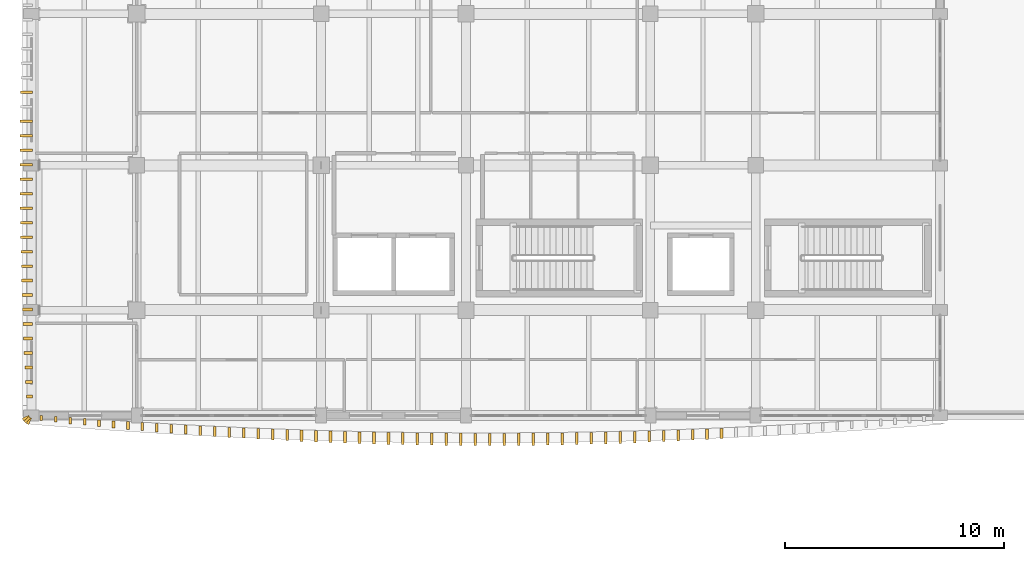
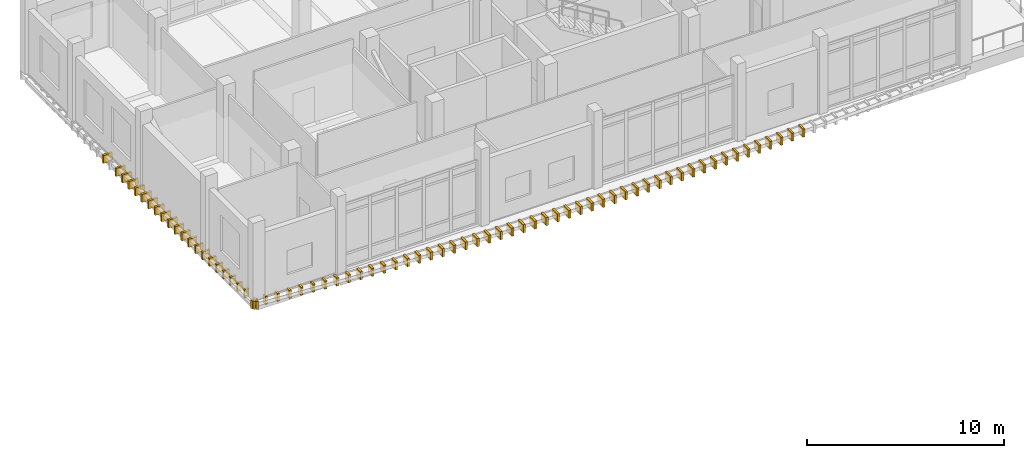
# One storey, part 43 of 50: 72 coverings.
"""IFC4 building model written with IfcOpenShell, lengths in metres."""

from ifc_helpers import new_model, si_unit, direction, frame, origin, origin_2d, place, context, subcontext, project, spatial, rectangle, extrude, material, layer, layer_set, type_object, element, save


model = new_model("IFC4")

# Units and contexts
model_context = context("Model", 3, precision=1e-05, world=origin(), true_north=direction((0.0, 1.0)))
body_context = subcontext(model_context, "Body", "Model", "MODEL_VIEW")
ifc_project = project(units=[si_unit("LENGTHUNIT", "METRE"), si_unit("AREAUNIT", "SQUARE_METRE"), si_unit("VOLUMEUNIT", "CUBIC_METRE"), si_unit("PLANEANGLEUNIT", "RADIAN"), si_unit("MASSUNIT", "GRAM", prefix="KILO")], contexts=[model_context])

# Site, building, storey
site_placement = place(None, origin())
site = spatial("IfcSite", under=ifc_project, at=site_placement, CompositionType="ELEMENT")
building_placement = place(site_placement, origin())
building = spatial("IfcBuilding", under=site, at=building_placement, Name="Dornvale Research Institute", CompositionType="ELEMENT")
storey_placement = place(building_placement, frame((0.0, 0.0, 19.800048828125)))
storey = spatial("IfcBuildingStorey", under=building, at=storey_placement, Name="L04", CompositionType="ELEMENT", Elevation=19.800048828125)

# Coverings
ifc_material = material(Name="Polychrome Glazed Terracotta Visor Rib Ceramic", Category="masonry")
ifc_layer = layer(ifc_material, 0.1201171875)
ifc_layer_set = layer_set([ifc_layer], Name="Polychrome Glazed Terracotta Visor Rib Ceramic")
covering_type = type_object("IfcCoveringType", Name="Covering_VisorBlade_Main", PredefinedType="CLADDING", material=ifc_layer_set)
covering_1_placement = place(storey_placement, frame((0.448486328125, 98.88720703125, -0.489990234375), z_axis=(0.0, 0.0, 1.0), x_axis=(0.0, 1.0, 0.0)))
element("IfcCovering", 1, at=covering_1_placement, inside=storey, type_object=covering_type, Name="L04 V5 canted glazed terracotta visor blade #623", PredefinedType="CLADDING", context=body_context, shape_type="SweptSolid", body=[
    extrude(rectangle(XDim=0.235107421875, YDim=0.1201171875, at=origin_2d()), origin(), (0.0, 0.0, 1.0), 0.5),
])
covering_2_placement = place(storey_placement, frame((1.106689453125, 98.8251953125, -0.489990234375), z_axis=(0.0, 0.0, 1.0), x_axis=(0.0, 1.0, 0.0)))
element("IfcCovering", 2, at=covering_2_placement, inside=storey, type_object=covering_type, Name="L04 V5 canted glazed terracotta visor blade #624", PredefinedType="CLADDING", context=body_context, shape_type="SweptSolid", body=[
    extrude(rectangle(XDim=0.2548828125, YDim=0.1201171875, at=origin_2d()), origin(), (0.0, 0.0, 1.0), 0.5),
])
covering_3_placement = place(storey_placement, frame((1.7646484375, 98.763671875, -0.489990234375), z_axis=(0.0, 0.0, 1.0), x_axis=(0.0, 1.0, 0.0)))
element("IfcCovering", 3, at=covering_3_placement, inside=storey, type_object=covering_type, Name="L04 V5 canted glazed terracotta visor blade #625", PredefinedType="CLADDING", context=body_context, shape_type="SweptSolid", body=[
    extrude(rectangle(XDim=0.27587890625, YDim=0.1201171875, at=origin_2d()), origin(), (0.0, 0.0, 1.0), 0.5),
])
covering_4_placement = place(storey_placement, frame((2.4228515625, 98.70654296875, -0.489990234375), z_axis=(0.0, 0.0, 1.0), x_axis=(0.0, 1.0, 0.0)))
element("IfcCovering", 4, at=covering_4_placement, inside=storey, type_object=covering_type, Name="L04 V5 canted glazed terracotta visor blade #626", PredefinedType="CLADDING", context=body_context, shape_type="SweptSolid", body=[
    extrude(rectangle(XDim=0.294921875, YDim=0.1201171875, at=origin_2d()), origin(), (0.0, 0.0, 1.0), 0.5),
])
covering_5_placement = place(storey_placement, frame((3.0810546875, 98.6494140625, -0.489990234375), z_axis=(0.0, 0.0, 1.0), x_axis=(0.0, 1.0, 0.0)))
element("IfcCovering", 5, at=covering_5_placement, inside=storey, type_object=covering_type, Name="L04 V5 canted glazed terracotta visor blade #627", PredefinedType="CLADDING", context=body_context, shape_type="SweptSolid", body=[
    extrude(rectangle(XDim=0.31396484375, YDim=0.1201171875, at=origin_2d()), origin(), (0.0, 0.0, 1.0), 0.5),
])
covering_6_placement = place(storey_placement, frame((3.739501953125, 98.595703125, -0.489990234375), z_axis=(0.0, 0.0, 1.0), x_axis=(0.0, 1.0, 0.0)))
element("IfcCovering", 6, at=covering_6_placement, inside=storey, type_object=covering_type, Name="L04 V5 canted glazed terracotta visor blade #628", PredefinedType="CLADDING", context=body_context, shape_type="SweptSolid", body=[
    extrude(rectangle(XDim=0.33203125, YDim=0.1201171875, at=origin_2d()), origin(), (0.0, 0.0, 1.0), 0.5),
])
covering_7_placement = place(storey_placement, frame((4.398193359375, 98.5439453125, -0.489990234375), z_axis=(0.0, 0.0, 1.0), x_axis=(0.0, 1.0, 0.0)))
element("IfcCovering", 7, at=covering_7_placement, inside=storey, type_object=covering_type, Name="L04 V5 canted glazed terracotta visor blade #629", PredefinedType="CLADDING", context=body_context, shape_type="SweptSolid", body=[
    extrude(rectangle(XDim=0.34912109375, YDim=0.1201171875, at=origin_2d()), origin(), (0.0, 0.0, 1.0), 0.5),
])
covering_8_placement = place(storey_placement, frame((5.056884765625, 98.49267578125, -0.489990234375), z_axis=(0.0, 0.0, 1.0), x_axis=(0.0, 1.0, 0.0)))
element("IfcCovering", 8, at=covering_8_placement, inside=storey, type_object=covering_type, Name="L04 V5 canted glazed terracotta visor blade #630", PredefinedType="CLADDING", context=body_context, shape_type="SweptSolid", body=[
    extrude(rectangle(XDim=0.365966796875, YDim=0.1201171875, at=origin_2d()), origin(), (0.0, 0.0, 1.0), 0.5),
])
covering_9_placement = place(storey_placement, frame((5.7158203125, 98.44580078125, -0.489990234375), z_axis=(0.0, 0.0, 1.0), x_axis=(0.0, 1.0, 0.0)))
element("IfcCovering", 9, at=covering_9_placement, inside=storey, type_object=covering_type, Name="L04 V5 canted glazed terracotta visor blade #631", PredefinedType="CLADDING", context=body_context, shape_type="SweptSolid", body=[
    extrude(rectangle(XDim=0.382080078125, YDim=0.1201171875, at=origin_2d()), origin(), (0.0, 0.0, 1.0), 0.5),
])
covering_10_placement = place(storey_placement, frame((6.37451171875, 98.3994140625, -0.489990234375), z_axis=(0.0, 0.0, 1.0), x_axis=(0.0, 1.0, 0.0)))
element("IfcCovering", 10, at=covering_10_placement, inside=storey, type_object=covering_type, Name="L04 V5 canted glazed terracotta visor blade #632", PredefinedType="CLADDING", context=body_context, shape_type="SweptSolid", body=[
    extrude(rectangle(XDim=0.39697265625, YDim=0.1201171875, at=origin_2d()), origin(), (0.0, 0.0, 1.0), 0.5),
])
covering_11_placement = place(storey_placement, frame((7.033447265625, 98.35546875, -0.489990234375), z_axis=(0.0, 0.0, 1.0), x_axis=(0.0, 1.0, 0.0)))
element("IfcCovering", 11, at=covering_11_placement, inside=storey, type_object=covering_type, Name="L04 V5 canted glazed terracotta visor blade #633", PredefinedType="CLADDING", context=body_context, shape_type="SweptSolid", body=[
    extrude(rectangle(XDim=0.412109375, YDim=0.1201171875, at=origin_2d()), origin(), (0.0, 0.0, 1.0), 0.5),
])
covering_12_placement = place(storey_placement, frame((7.692626953125, 98.31396484375, -0.489990234375), z_axis=(0.0, 0.0, 1.0), x_axis=(0.0, 1.0, 0.0)))
element("IfcCovering", 12, at=covering_12_placement, inside=storey, type_object=covering_type, Name="L04 V5 canted glazed terracotta visor blade #634", PredefinedType="CLADDING", context=body_context, shape_type="SweptSolid", body=[
    extrude(rectangle(XDim=0.426025390625, YDim=0.1201171875, at=origin_2d()), origin(), (0.0, 0.0, 1.0), 0.5),
])
covering_13_placement = place(storey_placement, frame((8.351806640625, 98.273193359375, -0.489990234375), z_axis=(0.0, 0.0, 1.0), x_axis=(0.0, 1.0, 0.0)))
element("IfcCovering", 13, at=covering_13_placement, inside=storey, type_object=covering_type, Name="L04 V5 canted glazed terracotta visor blade #635", PredefinedType="CLADDING", context=body_context, shape_type="SweptSolid", body=[
    extrude(rectangle(XDim=0.43896484375, YDim=0.1201171875, at=origin_2d()), origin(), (0.0, 0.0, 1.0), 0.5),
])
covering_14_placement = place(storey_placement, frame((9.010986328125, 98.236328125, -0.489990234375), z_axis=(0.0, 0.0, 1.0), x_axis=(0.0, 1.0, 0.0)))
element("IfcCovering", 14, at=covering_14_placement, inside=storey, type_object=covering_type, Name="L04 V5 canted glazed terracotta visor blade #636", PredefinedType="CLADDING", context=body_context, shape_type="SweptSolid", body=[
    extrude(rectangle(XDim=0.451904296875, YDim=0.1201171875, at=origin_2d()), origin(), (0.0, 0.0, 1.0), 0.5),
])
covering_15_placement = place(storey_placement, frame((9.67041015625, 98.199951171875, -0.489990234375), z_axis=(0.0, 0.0, 1.0), x_axis=(0.0, 1.0, 0.0)))
element("IfcCovering", 15, at=covering_15_placement, inside=storey, type_object=covering_type, Name="L04 V5 canted glazed terracotta visor blade #637", PredefinedType="CLADDING", context=body_context, shape_type="SweptSolid", body=[
    extrude(rectangle(XDim=0.464111328125, YDim=0.1201171875, at=origin_2d()), origin(), (0.0, 0.0, 1.0), 0.5),
])
covering_16_placement = place(storey_placement, frame((10.32958984375, 98.166748046875, -0.489990234375), z_axis=(0.0, 0.0, 1.0), x_axis=(0.0, 1.0, 0.0)))
element("IfcCovering", 16, at=covering_16_placement, inside=storey, type_object=covering_type, Name="L04 V5 canted glazed terracotta visor blade #638", PredefinedType="CLADDING", context=body_context, shape_type="SweptSolid", body=[
    extrude(rectangle(XDim=0.47509765625, YDim=0.1201171875, at=origin_2d()), origin(), (0.0, 0.0, 1.0), 0.5),
])
covering_17_placement = place(storey_placement, frame((10.9892578125, 98.1357421875, -0.489990234375), z_axis=(0.0, 0.0, 1.0), x_axis=(0.0, 1.0, 0.0)))
element("IfcCovering", 17, at=covering_17_placement, inside=storey, type_object=covering_type, Name="L04 V5 canted glazed terracotta visor blade #639", PredefinedType="CLADDING", context=body_context, shape_type="SweptSolid", body=[
    extrude(rectangle(XDim=0.485107421875, YDim=0.1201171875, at=origin_2d()), origin(), (0.0, 0.0, 1.0), 0.5),
])
covering_18_placement = place(storey_placement, frame((11.648681640625, 98.105224609375, -0.489990234375), z_axis=(0.0, 0.0, 1.0), x_axis=(0.0, 1.0, 0.0)))
element("IfcCovering", 18, at=covering_18_placement, inside=storey, type_object=covering_type, Name="L04 V5 canted glazed terracotta visor blade #640", PredefinedType="CLADDING", context=body_context, shape_type="SweptSolid", body=[
    extrude(rectangle(XDim=0.4951171875, YDim=0.1201171875, at=origin_2d()), origin(), (0.0, 0.0, 1.0), 0.5),
])
covering_19_placement = place(storey_placement, frame((12.308349609375, 98.0791015625, -0.489990234375), z_axis=(0.0, 0.0, 1.0), x_axis=(0.0, 1.0, 0.0)))
element("IfcCovering", 19, at=covering_19_placement, inside=storey, type_object=covering_type, Name="L04 V5 canted glazed terracotta visor blade #641", PredefinedType="CLADDING", context=body_context, shape_type="SweptSolid", body=[
    extrude(rectangle(XDim=0.50390625, YDim=0.1201171875, at=origin_2d()), origin(), (0.0, 0.0, 1.0), 0.5),
])
covering_20_placement = place(storey_placement, frame((12.968017578125, 98.052978515625, -0.489990234375), z_axis=(0.0, 0.0, 1.0), x_axis=(0.0, 1.0, 0.0)))
element("IfcCovering", 20, at=covering_20_placement, inside=storey, type_object=covering_type, Name="L04 V5 canted glazed terracotta visor blade #642", PredefinedType="CLADDING", context=body_context, shape_type="SweptSolid", body=[
    extrude(rectangle(XDim=0.512939453125, YDim=0.1201171875, at=origin_2d()), origin(), (0.0, 0.0, 1.0), 0.5),
])
covering_21_placement = place(storey_placement, frame((13.627685546875, 98.0302734375, -0.489990234375), z_axis=(0.0, 0.0, 1.0), x_axis=(0.0, 1.0, 0.0)))
element("IfcCovering", 21, at=covering_21_placement, inside=storey, type_object=covering_type, Name="L04 V5 canted glazed terracotta visor blade #643", PredefinedType="CLADDING", context=body_context, shape_type="SweptSolid", body=[
    extrude(rectangle(XDim=0.52001953125, YDim=0.1201171875, at=origin_2d()), origin(), (0.0, 0.0, 1.0), 0.5),
])
covering_22_placement = place(storey_placement, frame((14.28759765625, 98.00927734375, -0.489990234375), z_axis=(0.0, 0.0, 1.0), x_axis=(0.0, 1.0, 0.0)))
element("IfcCovering", 22, at=covering_22_placement, inside=storey, type_object=covering_type, Name="L04 V5 canted glazed terracotta visor blade #644", PredefinedType="CLADDING", context=body_context, shape_type="SweptSolid", body=[
    extrude(rectangle(XDim=0.527099609375, YDim=0.1201171875, at=origin_2d()), origin(), (0.0, 0.0, 1.0), 0.5),
])
covering_23_placement = place(storey_placement, frame((14.947265625, 97.98876953125, -0.489990234375), z_axis=(0.0, 0.0, 1.0), x_axis=(0.0, 1.0, 0.0)))
element("IfcCovering", 23, at=covering_23_placement, inside=storey, type_object=covering_type, Name="L04 V5 canted glazed terracotta visor blade #645", PredefinedType="CLADDING", context=body_context, shape_type="SweptSolid", body=[
    extrude(rectangle(XDim=0.533935546875, YDim=0.1201171875, at=origin_2d()), origin(), (0.0, 0.0, 1.0), 0.5),
])
covering_24_placement = place(storey_placement, frame((15.607177734375, 97.973388671875, -0.489990234375), z_axis=(0.0, 0.0, 1.0), x_axis=(0.0, 1.0, 0.0)))
element("IfcCovering", 24, at=covering_24_placement, inside=storey, type_object=covering_type, Name="L04 V5 canted glazed terracotta visor blade #646", PredefinedType="CLADDING", context=body_context, shape_type="SweptSolid", body=[
    extrude(rectangle(XDim=0.5390625, YDim=0.1201171875, at=origin_2d()), origin(), (0.0, 0.0, 1.0), 0.5),
])
covering_25_placement = place(storey_placement, frame((16.26708984375, 97.957763671875, -0.489990234375), z_axis=(0.0, 0.0, 1.0), x_axis=(0.0, 1.0, 0.0)))
element("IfcCovering", 25, at=covering_25_placement, inside=storey, type_object=covering_type, Name="L04 V5 canted glazed terracotta visor blade #647", PredefinedType="CLADDING", context=body_context, shape_type="SweptSolid", body=[
    extrude(rectangle(XDim=0.5439453125, YDim=0.1201171875, at=origin_2d()), origin(), (0.0, 0.0, 1.0), 0.5),
])
covering_26_placement = place(storey_placement, frame((16.927001953125, 97.944580078125, -0.489990234375), z_axis=(0.0, 0.0, 1.0), x_axis=(0.0, 1.0, 0.0)))
element("IfcCovering", 26, at=covering_26_placement, inside=storey, type_object=covering_type, Name="L04 V5 canted glazed terracotta visor blade #648", PredefinedType="CLADDING", context=body_context, shape_type="SweptSolid", body=[
    extrude(rectangle(XDim=0.549072265625, YDim=0.1201171875, at=origin_2d()), origin(), (0.0, 0.0, 1.0), 0.5),
])
covering_27_placement = place(storey_placement, frame((17.5869140625, 97.9345703125, -0.489990234375), z_axis=(0.0, 0.0, 1.0), x_axis=(0.0, 1.0, 0.0)))
element("IfcCovering", 27, at=covering_27_placement, inside=storey, type_object=covering_type, Name="L04 V5 canted glazed terracotta visor blade #649", PredefinedType="CLADDING", context=body_context, shape_type="SweptSolid", body=[
    extrude(rectangle(XDim=0.552001953125, YDim=0.1201171875, at=origin_2d()), origin(), (0.0, 0.0, 1.0), 0.5),
])
covering_28_placement = place(storey_placement, frame((18.246826171875, 97.924560546875, -0.489990234375), z_axis=(0.0, 0.0, 1.0), x_axis=(0.0, 1.0, 0.0)))
element("IfcCovering", 28, at=covering_28_placement, inside=storey, type_object=covering_type, Name="L04 V5 canted glazed terracotta visor blade #650", PredefinedType="CLADDING", context=body_context, shape_type="SweptSolid", body=[
    extrude(rectangle(XDim=0.554931640625, YDim=0.1201171875, at=origin_2d()), origin(), (0.0, 0.0, 1.0), 0.5),
])
covering_29_placement = place(storey_placement, frame((18.90673828125, 97.919189453125, -0.489990234375), z_axis=(0.0, 0.0, 1.0), x_axis=(0.0, 1.0, 0.0)))
element("IfcCovering", 29, at=covering_29_placement, inside=storey, type_object=covering_type, Name="L04 V5 canted glazed terracotta visor blade #651", PredefinedType="CLADDING", context=body_context, shape_type="SweptSolid", body=[
    extrude(rectangle(XDim=0.556884765625, YDim=0.1201171875, at=origin_2d()), origin(), (0.0, 0.0, 1.0), 0.5),
])
covering_30_placement = place(storey_placement, frame((19.56689453125, 97.913818359375, -0.489990234375), z_axis=(0.0, 0.0, 1.0), x_axis=(0.0, 1.0, 0.0)))
element("IfcCovering", 30, at=covering_30_placement, inside=storey, type_object=covering_type, Name="L04 V5 canted glazed terracotta visor blade #652", PredefinedType="CLADDING", context=body_context, shape_type="SweptSolid", body=[
    extrude(rectangle(XDim=0.55908203125, YDim=0.1201171875, at=origin_2d()), origin(), (0.0, 0.0, 1.0), 0.5),
])
for number, where, z_axis, x_axis, name in (
    (31, (20.226806640625, 97.911376953125, -0.489990234375), (0.0, 0.0, 1.0), (0.0, 1.0, 0.0), "L04 V5 canted glazed terracotta visor blade #653"),
    (32, (20.88671875, 97.911376953125, -0.489990234375), (0.0, 0.0, 1.0), (0.0, 1.0, 0.0), "L04 V5 canted glazed terracotta visor blade #654"),
):
    element("IfcCovering", number, at=place(storey_placement, frame(where, z_axis=z_axis, x_axis=x_axis)), inside=storey, type_object=covering_type, Name=name, PredefinedType="CLADDING", context=body_context, shape_type="SweptSolid", body=[
        extrude(rectangle(XDim=0.56005859375, YDim=0.1201171875, at=origin_2d()), origin(), (0.0, 0.0, 1.0), 0.5),
    ])
covering_31_placement = place(storey_placement, frame((21.546875, 97.912109375, -0.489990234375), z_axis=(0.0, 0.0, 1.0), x_axis=(0.0, 1.0, 0.0)))
element("IfcCovering", 33, at=covering_31_placement, inside=storey, type_object=covering_type, Name="L04 V5 canted glazed terracotta visor blade #655", PredefinedType="CLADDING", context=body_context, shape_type="SweptSolid", body=[
    extrude(rectangle(XDim=0.55908203125, YDim=0.1201171875, at=origin_2d()), origin(), (0.0, 0.0, 1.0), 0.5),
])
covering_32_placement = place(storey_placement, frame((22.206787109375, 97.916748046875, -0.489990234375), z_axis=(0.0, 0.0, 1.0), x_axis=(0.0, 1.0, 0.0)))
element("IfcCovering", 34, at=covering_32_placement, inside=storey, type_object=covering_type, Name="L04 V5 canted glazed terracotta visor blade #656", PredefinedType="CLADDING", context=body_context, shape_type="SweptSolid", body=[
    extrude(rectangle(XDim=0.55810546875, YDim=0.1201171875, at=origin_2d()), origin(), (0.0, 0.0, 1.0), 0.5),
])
covering_33_placement = place(storey_placement, frame((22.86669921875, 97.922119140625, -0.489990234375), z_axis=(0.0, 0.0, 1.0), x_axis=(0.0, 1.0, 0.0)))
element("IfcCovering", 35, at=covering_33_placement, inside=storey, type_object=covering_type, Name="L04 V5 canted glazed terracotta visor blade #657", PredefinedType="CLADDING", context=body_context, shape_type="SweptSolid", body=[
    extrude(rectangle(XDim=0.555908203125, YDim=0.1201171875, at=origin_2d()), origin(), (0.0, 0.0, 1.0), 0.5),
])
covering_34_placement = place(storey_placement, frame((23.526611328125, 97.9296875, -0.489990234375), z_axis=(0.0, 0.0, 1.0), x_axis=(0.0, 1.0, 0.0)))
element("IfcCovering", 36, at=covering_34_placement, inside=storey, type_object=covering_type, Name="L04 V5 canted glazed terracotta visor blade #658", PredefinedType="CLADDING", context=body_context, shape_type="SweptSolid", body=[
    extrude(rectangle(XDim=0.553955078125, YDim=0.1201171875, at=origin_2d()), origin(), (0.0, 0.0, 1.0), 0.5),
])
covering_35_placement = place(storey_placement, frame((24.186767578125, 97.9404296875, -0.489990234375), z_axis=(0.0, 0.0, 1.0), x_axis=(0.0, 1.0, 0.0)))
element("IfcCovering", 37, at=covering_35_placement, inside=storey, type_object=covering_type, Name="L04 V5 canted glazed terracotta visor blade #659", PredefinedType="CLADDING", context=body_context, shape_type="SweptSolid", body=[
    extrude(rectangle(XDim=0.550048828125, YDim=0.1201171875, at=origin_2d()), origin(), (0.0, 0.0, 1.0), 0.5),
])
covering_36_placement = place(storey_placement, frame((24.8466796875, 97.951171875, -0.489990234375), z_axis=(0.0, 0.0, 1.0), x_axis=(0.0, 1.0, 0.0)))
element("IfcCovering", 38, at=covering_36_placement, inside=storey, type_object=covering_type, Name="L04 V5 canted glazed terracotta visor blade #660", PredefinedType="CLADDING", context=body_context, shape_type="SweptSolid", body=[
    extrude(rectangle(XDim=0.5458984375, YDim=0.1201171875, at=origin_2d()), origin(), (0.0, 0.0, 1.0), 0.5),
])
covering_37_placement = place(storey_placement, frame((25.506591796875, 97.966064453125, -0.489990234375), z_axis=(0.0, 0.0, 1.0), x_axis=(0.0, 1.0, 0.0)))
element("IfcCovering", 39, at=covering_37_placement, inside=storey, type_object=covering_type, Name="L04 V5 canted glazed terracotta visor blade #661", PredefinedType="CLADDING", context=body_context, shape_type="SweptSolid", body=[
    extrude(rectangle(XDim=0.5419921875, YDim=0.1201171875, at=origin_2d()), origin(), (0.0, 0.0, 1.0), 0.5),
])
covering_38_placement = place(storey_placement, frame((26.16650390625, 97.982177734375, -0.489990234375), z_axis=(0.0, 0.0, 1.0), x_axis=(0.0, 1.0, 0.0)))
element("IfcCovering", 40, at=covering_38_placement, inside=storey, type_object=covering_type, Name="L04 V5 canted glazed terracotta visor blade #662", PredefinedType="CLADDING", context=body_context, shape_type="SweptSolid", body=[
    extrude(rectangle(XDim=0.535888671875, YDim=0.1201171875, at=origin_2d()), origin(), (0.0, 0.0, 1.0), 0.5),
])
covering_39_placement = place(storey_placement, frame((26.826171875, 98.000244140625, -0.489990234375), z_axis=(0.0, 0.0, 1.0), x_axis=(0.0, 1.0, 0.0)))
element("IfcCovering", 41, at=covering_39_placement, inside=storey, type_object=covering_type, Name="L04 V5 canted glazed terracotta visor blade #663", PredefinedType="CLADDING", context=body_context, shape_type="SweptSolid", body=[
    extrude(rectangle(XDim=0.530029296875, YDim=0.1201171875, at=origin_2d()), origin(), (0.0, 0.0, 1.0), 0.5),
])
covering_40_placement = place(storey_placement, frame((27.48583984375, 98.020751953125, -0.489990234375), z_axis=(0.0, 0.0, 1.0), x_axis=(0.0, 1.0, 0.0)))
element("IfcCovering", 42, at=covering_40_placement, inside=storey, type_object=covering_type, Name="L04 V5 canted glazed terracotta visor blade #664", PredefinedType="CLADDING", context=body_context, shape_type="SweptSolid", body=[
    extrude(rectangle(XDim=0.52392578125, YDim=0.1201171875, at=origin_2d()), origin(), (0.0, 0.0, 1.0), 0.5),
])
covering_41_placement = place(storey_placement, frame((28.145751953125, 98.0419921875, -0.489990234375), z_axis=(0.0, 0.0, 1.0), x_axis=(0.0, 1.0, 0.0)))
element("IfcCovering", 43, at=covering_41_placement, inside=storey, type_object=covering_type, Name="L04 V5 canted glazed terracotta visor blade #665", PredefinedType="CLADDING", context=body_context, shape_type="SweptSolid", body=[
    extrude(rectangle(XDim=0.51611328125, YDim=0.1201171875, at=origin_2d()), origin(), (0.0, 0.0, 1.0), 0.5),
])
covering_42_placement = place(storey_placement, frame((28.805419921875, 98.067626953125, -0.489990234375), z_axis=(0.0, 0.0, 1.0), x_axis=(0.0, 1.0, 0.0)))
element("IfcCovering", 44, at=covering_42_placement, inside=storey, type_object=covering_type, Name="L04 V5 canted glazed terracotta visor blade #666", PredefinedType="CLADDING", context=body_context, shape_type="SweptSolid", body=[
    extrude(rectangle(XDim=0.508056640625, YDim=0.1201171875, at=origin_2d()), origin(), (0.0, 0.0, 1.0), 0.5),
])
covering_43_placement = place(storey_placement, frame((29.465087890625, 98.09375, -0.489990234375), z_axis=(0.0, 0.0, 1.0), x_axis=(0.0, 1.0, 0.0)))
element("IfcCovering", 45, at=covering_43_placement, inside=storey, type_object=covering_type, Name="L04 V5 canted glazed terracotta visor blade #667", PredefinedType="CLADDING", context=body_context, shape_type="SweptSolid", body=[
    extrude(rectangle(XDim=0.4990234375, YDim=0.1201171875, at=origin_2d()), origin(), (0.0, 0.0, 1.0), 0.5),
])
covering_44_placement = place(storey_placement, frame((30.12451171875, 98.1220703125, -0.489990234375), z_axis=(0.0, 0.0, 1.0), x_axis=(0.0, 1.0, 0.0)))
element("IfcCovering", 46, at=covering_44_placement, inside=storey, type_object=covering_type, Name="L04 V5 canted glazed terracotta visor blade #668", PredefinedType="CLADDING", context=body_context, shape_type="SweptSolid", body=[
    extrude(rectangle(XDim=0.489990234375, YDim=0.1201171875, at=origin_2d()), origin(), (0.0, 0.0, 1.0), 0.5),
])
covering_45_placement = place(storey_placement, frame((30.7841796875, 98.153564453125, -0.489990234375), z_axis=(0.0, 0.0, 1.0), x_axis=(0.0, 1.0, 0.0)))
element("IfcCovering", 47, at=covering_45_placement, inside=storey, type_object=covering_type, Name="L04 V5 canted glazed terracotta visor blade #669", PredefinedType="CLADDING", context=body_context, shape_type="SweptSolid", body=[
    extrude(rectangle(XDim=0.47900390625, YDim=0.1201171875, at=origin_2d()), origin(), (0.0, 0.0, 1.0), 0.5),
])
covering_46_placement = place(storey_placement, frame((31.443603515625, 98.1845703125, -0.489990234375), z_axis=(0.0, 0.0, 1.0), x_axis=(0.0, 1.0, 0.0)))
element("IfcCovering", 48, at=covering_46_placement, inside=storey, type_object=covering_type, Name="L04 V5 canted glazed terracotta visor blade #670", PredefinedType="CLADDING", context=body_context, shape_type="SweptSolid", body=[
    extrude(rectangle(XDim=0.468994140625, YDim=0.1201171875, at=origin_2d()), origin(), (0.0, 0.0, 1.0), 0.5),
])
covering_47_placement = place(storey_placement, frame((-0.22705078125, 113.72998046875, -0.489990234375), z_axis=(0.0, 0.0, 1.0), x_axis=(1.0, 0.0, 0.0)))
element("IfcCovering", 49, at=covering_47_placement, inside=storey, type_object=covering_type, Name="L04 V5 canted glazed terracotta visor blade #759", PredefinedType="CLADDING", context=body_context, shape_type="SweptSolid", body=[
    extrude(rectangle(XDim=0.533935546875, YDim=0.1201171875, at=origin_2d()), origin(), (0.0, 0.0, 1.0), 0.5),
])
covering_48_placement = place(storey_placement, frame((-0.235595703125, 112.409912109375, -0.489990234375), z_axis=(0.0, 0.0, 1.0), x_axis=(1.0, 0.0, 0.0)))
element("IfcCovering", 50, at=covering_48_placement, inside=storey, type_object=covering_type, Name="L04 V5 canted glazed terracotta visor blade #761", PredefinedType="CLADDING", context=body_context, shape_type="SweptSolid", body=[
    extrude(rectangle(XDim=0.551025390625, YDim=0.1201171875, at=origin_2d()), origin(), (0.0, 0.0, 1.0), 0.5),
])
covering_49_placement = place(storey_placement, frame((-0.238037109375, 111.75, -0.489990234375), z_axis=(0.0, 0.0, 1.0), x_axis=(1.0, 0.0, 0.0)))
element("IfcCovering", 51, at=covering_49_placement, inside=storey, type_object=covering_type, Name="L04 V5 canted glazed terracotta visor blade #762", PredefinedType="CLADDING", context=body_context, shape_type="SweptSolid", body=[
    extrude(rectangle(XDim=0.555908203125, YDim=0.1201171875, at=origin_2d()), origin(), (0.0, 0.0, 1.0), 0.5),
])
covering_50_placement = place(storey_placement, frame((-0.239501953125, 111.090087890625, -0.489990234375), z_axis=(0.0, 0.0, 1.0), x_axis=(1.0, 0.0, 0.0)))
element("IfcCovering", 52, at=covering_50_placement, inside=storey, type_object=covering_type, Name="L04 V5 canted glazed terracotta visor blade #763", PredefinedType="CLADDING", context=body_context, shape_type="SweptSolid", body=[
    extrude(rectangle(XDim=0.55908203125, YDim=0.1201171875, at=origin_2d()), origin(), (0.0, 0.0, 1.0), 0.5),
])
covering_51_placement = place(storey_placement, frame((-0.239990234375, 110.429931640625, -0.489990234375), z_axis=(0.0, 0.0, 1.0), x_axis=(1.0, 0.0, 0.0)))
element("IfcCovering", 53, at=covering_51_placement, inside=storey, type_object=covering_type, Name="L04 V5 canted glazed terracotta visor blade #764", PredefinedType="CLADDING", context=body_context, shape_type="SweptSolid", body=[
    extrude(rectangle(XDim=0.56005859375, YDim=0.1201171875, at=origin_2d()), origin(), (0.0, 0.0, 1.0), 0.5),
])
covering_52_placement = place(storey_placement, frame((-0.239013671875, 109.77001953125, -0.489990234375), z_axis=(0.0, 0.0, 1.0), x_axis=(1.0, 0.0, 0.0)))
element("IfcCovering", 54, at=covering_52_placement, inside=storey, type_object=covering_type, Name="L04 V5 canted glazed terracotta visor blade #765", PredefinedType="CLADDING", context=body_context, shape_type="SweptSolid", body=[
    extrude(rectangle(XDim=0.55810546875, YDim=0.1201171875, at=origin_2d()), origin(), (0.0, 0.0, 1.0), 0.5),
])
covering_53_placement = place(storey_placement, frame((-0.237548828125, 109.110107421875, -0.489990234375), z_axis=(0.0, 0.0, 1.0), x_axis=(1.0, 0.0, 0.0)))
element("IfcCovering", 55, at=covering_53_placement, inside=storey, type_object=covering_type, Name="L04 V5 canted glazed terracotta visor blade #766", PredefinedType="CLADDING", context=body_context, shape_type="SweptSolid", body=[
    extrude(rectangle(XDim=0.554931640625, YDim=0.1201171875, at=origin_2d()), origin(), (0.0, 0.0, 1.0), 0.5),
])
covering_54_placement = place(storey_placement, frame((-0.234619140625, 108.449951171875, -0.489990234375), z_axis=(0.0, 0.0, 1.0), x_axis=(1.0, 0.0, 0.0)))
element("IfcCovering", 56, at=covering_54_placement, inside=storey, type_object=covering_type, Name="L04 V5 canted glazed terracotta visor blade #767", PredefinedType="CLADDING", context=body_context, shape_type="SweptSolid", body=[
    extrude(rectangle(XDim=0.549072265625, YDim=0.1201171875, at=origin_2d()), origin(), (0.0, 0.0, 1.0), 0.5),
])
covering_55_placement = place(storey_placement, frame((-0.23046875, 107.7900390625, -0.489990234375), z_axis=(0.0, 0.0, 1.0), x_axis=(1.0, 0.0, 0.0)))
element("IfcCovering", 57, at=covering_55_placement, inside=storey, type_object=covering_type, Name="L04 V5 canted glazed terracotta visor blade #768", PredefinedType="CLADDING", context=body_context, shape_type="SweptSolid", body=[
    extrude(rectangle(XDim=0.541015625, YDim=0.1201171875, at=origin_2d()), origin(), (0.0, 0.0, 1.0), 0.5),
])
covering_56_placement = place(storey_placement, frame((-0.22509765625, 107.1298828125, -0.489990234375), z_axis=(0.0, 0.0, 1.0), x_axis=(1.0, 0.0, 0.0)))
element("IfcCovering", 58, at=covering_56_placement, inside=storey, type_object=covering_type, Name="L04 V5 canted glazed terracotta visor blade #769", PredefinedType="CLADDING", context=body_context, shape_type="SweptSolid", body=[
    extrude(rectangle(XDim=0.530029296875, YDim=0.1201171875, at=origin_2d()), origin(), (0.0, 0.0, 1.0), 0.5),
])
covering_57_placement = place(storey_placement, frame((-0.218994140625, 106.469970703125, -0.489990234375), z_axis=(0.0, 0.0, 1.0), x_axis=(1.0, 0.0, 0.0)))
element("IfcCovering", 59, at=covering_57_placement, inside=storey, type_object=covering_type, Name="L04 V5 canted glazed terracotta visor blade #770", PredefinedType="CLADDING", context=body_context, shape_type="SweptSolid", body=[
    extrude(rectangle(XDim=0.51806640625, YDim=0.1201171875, at=origin_2d()), origin(), (0.0, 0.0, 1.0), 0.5),
])
covering_58_placement = place(storey_placement, frame((-0.21142578125, 105.81005859375, -0.489990234375), z_axis=(0.0, 0.0, 1.0), x_axis=(1.0, 0.0, 0.0)))
element("IfcCovering", 60, at=covering_58_placement, inside=storey, type_object=covering_type, Name="L04 V5 canted glazed terracotta visor blade #771", PredefinedType="CLADDING", context=body_context, shape_type="SweptSolid", body=[
    extrude(rectangle(XDim=0.5029296875, YDim=0.1201171875, at=origin_2d()), origin(), (0.0, 0.0, 1.0), 0.5),
])
covering_59_placement = place(storey_placement, frame((-0.202880859375, 105.14990234375, -0.489990234375), z_axis=(0.0, 0.0, 1.0), x_axis=(1.0, 0.0, 0.0)))
element("IfcCovering", 61, at=covering_59_placement, inside=storey, type_object=covering_type, Name="L04 V5 canted glazed terracotta visor blade #772", PredefinedType="CLADDING", context=body_context, shape_type="SweptSolid", body=[
    extrude(rectangle(XDim=0.486083984375, YDim=0.1201171875, at=origin_2d()), origin(), (0.0, 0.0, 1.0), 0.5),
])
covering_60_placement = place(storey_placement, frame((-0.193115234375, 104.489990234375, -0.489990234375), z_axis=(0.0, 0.0, 1.0), x_axis=(1.0, 0.0, 0.0)))
element("IfcCovering", 62, at=covering_60_placement, inside=storey, type_object=covering_type, Name="L04 V5 canted glazed terracotta visor blade #773", PredefinedType="CLADDING", context=body_context, shape_type="SweptSolid", body=[
    extrude(rectangle(XDim=0.466064453125, YDim=0.1201171875, at=origin_2d()), origin(), (0.0, 0.0, 1.0), 0.5),
])
covering_61_placement = place(storey_placement, frame((-0.1826171875, 103.830078125, -0.489990234375), z_axis=(0.0, 0.0, 1.0), x_axis=(1.0, 0.0, 0.0)))
element("IfcCovering", 63, at=covering_61_placement, inside=storey, type_object=covering_type, Name="L04 V5 canted glazed terracotta visor blade #774", PredefinedType="CLADDING", context=body_context, shape_type="SweptSolid", body=[
    extrude(rectangle(XDim=0.445068359375, YDim=0.1201171875, at=origin_2d()), origin(), (0.0, 0.0, 1.0), 0.5),
])
covering_62_placement = place(storey_placement, frame((-0.17041015625, 103.169921875, -0.489990234375), z_axis=(0.0, 0.0, 1.0), x_axis=(1.0, 0.0, 0.0)))
element("IfcCovering", 64, at=covering_62_placement, inside=storey, type_object=covering_type, Name="L04 V5 canted glazed terracotta visor blade #775", PredefinedType="CLADDING", context=body_context, shape_type="SweptSolid", body=[
    extrude(rectangle(XDim=0.4208984375, YDim=0.1201171875, at=origin_2d()), origin(), (0.0, 0.0, 1.0), 0.5),
])
covering_63_placement = place(storey_placement, frame((-0.157470703125, 102.510009765625, -0.489990234375), z_axis=(0.0, 0.0, 1.0), x_axis=(1.0, 0.0, 0.0)))
element("IfcCovering", 65, at=covering_63_placement, inside=storey, type_object=covering_type, Name="L04 V5 canted glazed terracotta visor blade #776", PredefinedType="CLADDING", context=body_context, shape_type="SweptSolid", body=[
    extrude(rectangle(XDim=0.39501953125, YDim=0.1201171875, at=origin_2d()), origin(), (0.0, 0.0, 1.0), 0.5),
])
covering_64_placement = place(storey_placement, frame((-0.1435546875, 101.85009765625, -0.489990234375), z_axis=(0.0, 0.0, 1.0), x_axis=(1.0, 0.0, 0.0)))
element("IfcCovering", 66, at=covering_64_placement, inside=storey, type_object=covering_type, Name="L04 V5 canted glazed terracotta visor blade #777", PredefinedType="CLADDING", context=body_context, shape_type="SweptSolid", body=[
    extrude(rectangle(XDim=0.366943359375, YDim=0.1201171875, at=origin_2d()), origin(), (0.0, 0.0, 1.0), 0.5),
])
covering_65_placement = place(storey_placement, frame((-0.12841796875, 101.18994140625, -0.489990234375), z_axis=(0.0, 0.0, 1.0), x_axis=(1.0, 0.0, 0.0)))
element("IfcCovering", 67, at=covering_65_placement, inside=storey, type_object=covering_type, Name="L04 V5 canted glazed terracotta visor blade #778", PredefinedType="CLADDING", context=body_context, shape_type="SweptSolid", body=[
    extrude(rectangle(XDim=0.3369140625, YDim=0.1201171875, at=origin_2d()), origin(), (0.0, 0.0, 1.0), 0.5),
])
covering_66_placement = place(storey_placement, frame((-0.112060546875, 100.530029296875, -0.489990234375), z_axis=(0.0, 0.0, 1.0), x_axis=(1.0, 0.0, 0.0)))
element("IfcCovering", 68, at=covering_66_placement, inside=storey, type_object=covering_type, Name="L04 V5 canted glazed terracotta visor blade #779", PredefinedType="CLADDING", context=body_context, shape_type="SweptSolid", body=[
    extrude(rectangle(XDim=0.303955078125, YDim=0.1201171875, at=origin_2d()), origin(), (0.0, 0.0, 1.0), 0.5),
])
covering_67_placement = place(storey_placement, frame((-0.094482421875, 99.8701171875, -0.489990234375), z_axis=(0.0, 0.0, 1.0), x_axis=(1.0, 0.0, 0.0)))
element("IfcCovering", 69, at=covering_67_placement, inside=storey, type_object=covering_type, Name="L04 V5 canted glazed terracotta visor blade #780", PredefinedType="CLADDING", context=body_context, shape_type="SweptSolid", body=[
    extrude(rectangle(XDim=0.26904296875, YDim=0.1201171875, at=origin_2d()), origin(), (0.0, 0.0, 1.0), 0.5),
])
for number, where, z_axis, x_axis, name in (
    (70, (-0.24462890625, 98.885986328125, -0.489990234375), (0.0, 0.0, 1.0), (-0.906307787037, -0.422618261741, 0.0), "L04 V5 corner-wrapping visor blade #781"),
    (71, (-0.19091796875, 98.80908203125, -0.489990234375), (0.0, 0.0, 1.0), (-0.707106781187, -0.707106781187, 0.0), "L04 V5 corner-wrapping visor blade #782"),
    (72, (-0.114013671875, 98.75537109375, -0.489990234375), (0.0, 0.0, 1.0), (-0.422618261741, -0.906307787037, 0.0), "L04 V5 corner-wrapping visor blade #783"),
):
    element("IfcCovering", number, at=place(storey_placement, frame(where, z_axis=z_axis, x_axis=x_axis)), inside=storey, type_object=covering_type, Name=name, PredefinedType="CLADDING", context=body_context, shape_type="SweptSolid", body=[
        extrude(rectangle(XDim=0.320068359375, YDim=0.1201171875, at=origin_2d()), origin(), (0.0, 0.0, 1.0), 0.5),
    ])

save(model, "model.ifc")
